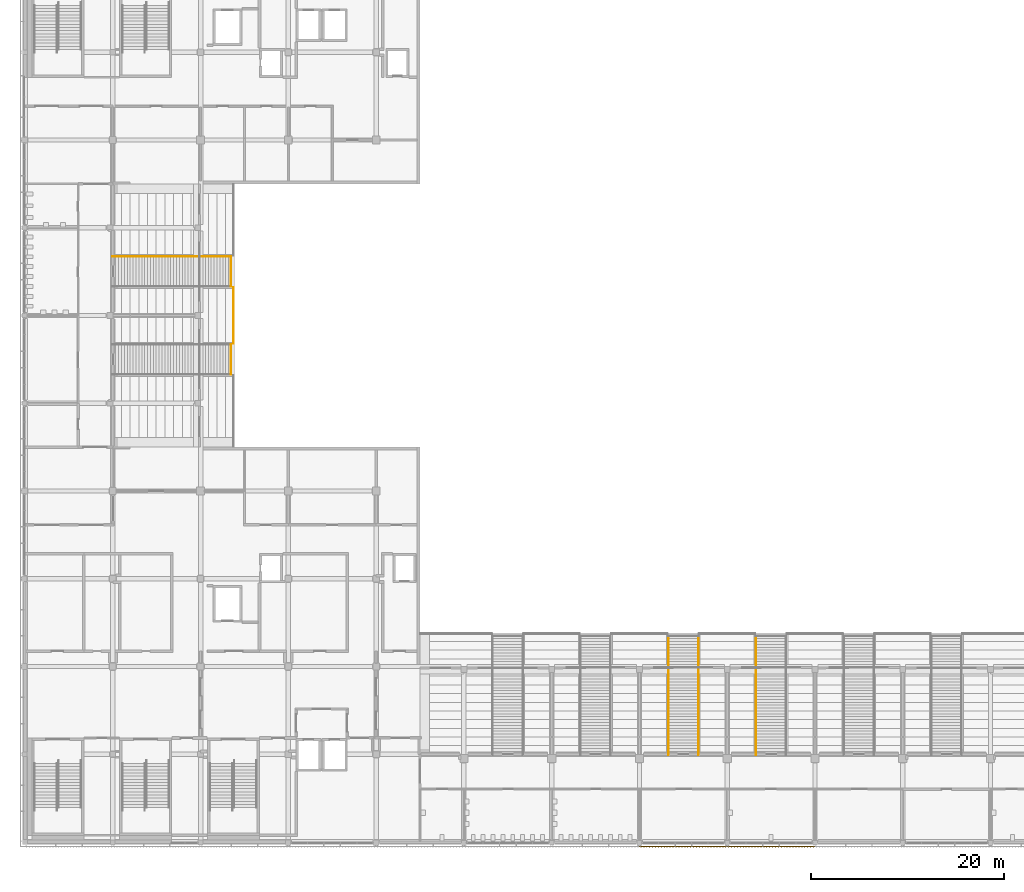
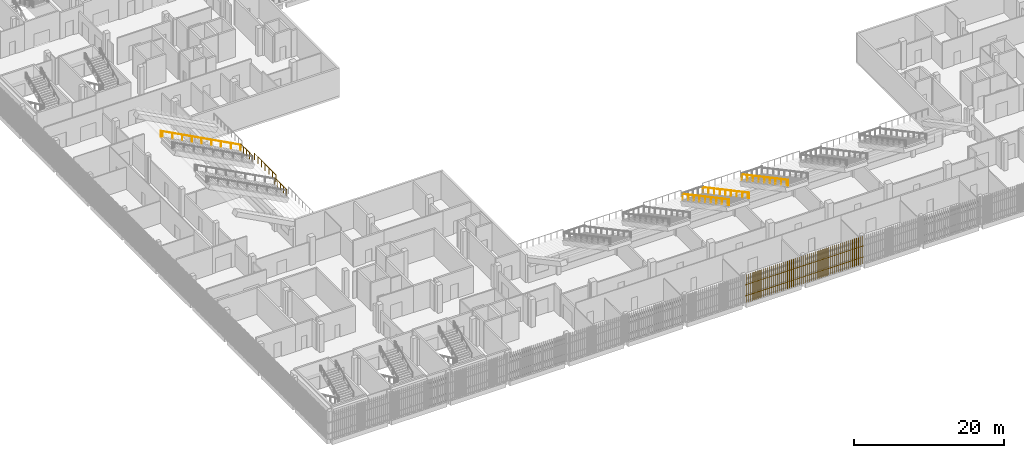
# One storey, part 118 of 139: 7 railings, 2 shading devices.
"""IFC4 building model written with IfcOpenShell, lengths in metres."""

from ifc_helpers import new_model, si_unit, direction, frame, origin, origin_2d, place, context, subcontext, project, spatial, rectangle, circle, extrude, material, type_object, element, save


model = new_model("IFC4")

# Units and contexts
model_context = context("Model", 3, precision=1e-05, world=origin(), true_north=direction((0.0, 1.0)))
body_context = subcontext(model_context, "Body", "Model", "MODEL_VIEW")
ifc_project = project(units=[si_unit("LENGTHUNIT", "METRE"), si_unit("AREAUNIT", "SQUARE_METRE"), si_unit("VOLUMEUNIT", "CUBIC_METRE"), si_unit("PLANEANGLEUNIT", "RADIAN"), si_unit("MASSUNIT", "GRAM", prefix="KILO")], contexts=[model_context])

# Site, building, storey
site_placement = place(None, origin())
site = spatial("IfcSite", under=ifc_project, at=site_placement, CompositionType="ELEMENT")
building_placement = place(site_placement, origin())
building = spatial("IfcBuilding", under=site, at=building_placement, Name="Shirokan Park Arena", CompositionType="ELEMENT")
storey_placement = place(building_placement, frame((0.0, 0.0, 15.469970703125)))
storey = spatial("IfcBuildingStorey", under=building, at=storey_placement, Name="L03", CompositionType="ELEMENT", Elevation=15.469970703125)

# Railings
ifc_material_1 = material(Name="Stainless steel", Category="steel")
railing_type_1 = type_object("IfcRailingType", Name="Aisle foot guard 1100", PredefinedType="GUARDRAIL", material=ifc_material_1)
railing_1_placement = place(storey_placement, frame((21.35009765625, 48.5, 2.5400390625)))
element("IfcRailing", 1, at=railing_1_placement, inside=storey, type_object=railing_type_1, Name="Guard foot of vomitory stair W1 upper", PredefinedType="GUARDRAIL", context=body_context, shape_type="SweptSolid", body=[
    extrude(circle(Radius=0.02490234375, at=origin_2d()), frame((0.0, 0.0, 1.0771484375), z_axis=(0.0, 1.0, 0.0), x_axis=(-1.0, 0.0, 0.0)), (0.0, 0.0, 1.0), 3.10009765625),
    extrude(circle(Radius=0.02490234375, at=origin_2d()), origin(), (0.0, 0.0, 1.0), 1.052001953125),
    extrude(circle(Radius=0.02490234375, at=origin_2d()), frame((0.0, 0.77490234375, 0.0)), (0.0, 0.0, 1.0), 1.052001953125),
    extrude(circle(Radius=0.02490234375, at=origin_2d()), frame((0.0, 1.550048828125, 0.0)), (0.0, 0.0, 1.0), 1.052001953125),
    extrude(circle(Radius=0.02490234375, at=origin_2d()), frame((0.0, 2.3251953125, 0.0)), (0.0, 0.0, 1.0), 1.052001953125),
    extrude(circle(Radius=0.02490234375, at=origin_2d()), frame((0.0, 3.10009765625, 0.0)), (0.0, 0.0, 1.0), 1.052001953125),
])
railing_2_placement = place(storey_placement, frame((21.35009765625, 57.60009765625, 2.5400390625)))
element("IfcRailing", 2, at=railing_2_placement, inside=storey, type_object=railing_type_1, Name="Guard foot of vomitory stair W2 upper", PredefinedType="GUARDRAIL", context=body_context, shape_type="SweptSolid", body=[
    extrude(circle(Radius=0.02490234375, at=origin_2d()), frame((0.0, 0.0, 1.0771484375), z_axis=(0.0, 1.0, 0.0), x_axis=(-1.0, 0.0, 0.0)), (0.0, 0.0, 1.0), 3.099853515625),
    extrude(circle(Radius=0.02490234375, at=origin_2d()), origin(), (0.0, 0.0, 1.0), 1.052001953125),
    extrude(circle(Radius=0.02490234375, at=origin_2d()), frame((0.0, 0.77490234375, 0.0)), (0.0, 0.0, 1.0), 1.052001953125),
    extrude(circle(Radius=0.02490234375, at=origin_2d()), frame((0.0, 1.5498046875, 0.0)), (0.0, 0.0, 1.0), 1.052001953125),
    extrude(circle(Radius=0.02490234375, at=origin_2d()), frame((0.0, 2.324951171875, 0.0)), (0.0, 0.0, 1.0), 1.052001953125),
    extrude(circle(Radius=0.02490234375, at=origin_2d()), frame((0.0, 3.099853515625, 0.0)), (0.0, 0.0, 1.0), 1.052001953125),
])
railing_type_2 = type_object("IfcRailingType", Name="Aisle handrail 900", PredefinedType="HANDRAIL", material=ifc_material_1)
railing_3_placement = place(storey_placement, frame((66.68994140625, 21.35009765625, 2.5400390625)))
element("IfcRailing", 3, at=railing_3_placement, inside=storey, type_object=railing_type_2, Name="Handrail vomitory stair S3 upper", PredefinedType="HANDRAIL", context=body_context, shape_type="SweptSolid", body=[
    extrude(circle(Radius=0.02490234375, at=origin_2d()), frame((0.0, 0.0, 0.90185546875), z_axis=(0.0, -0.882341014787, 0.470610596591), x_axis=(1.0, 0.0, 0.0)), (0.0, 0.0, 1.0), 1.699951171875),
    extrude(circle(Radius=0.02490234375, at=origin_2d()), frame((0.0, -1.5, 1.70166015625), z_axis=(0.0, -0.882341014787, 0.470610596591), x_axis=(1.0, 0.0, 0.0)), (0.0, 0.0, 1.0), 1.699951171875),
    extrude(circle(Radius=0.02490234375, at=origin_2d()), frame((0.0, -3.0, 2.501953125), z_axis=(0.0, -0.88240064429, 0.470498781037), x_axis=(1.0, 0.0, 0.0)), (0.0, 0.0, 1.0), 1.699951171875),
    extrude(circle(Radius=0.02490234375, at=origin_2d()), frame((0.0, -4.5, 3.3017578125), z_axis=(0.0, -0.882341014787, 0.470610596591), x_axis=(1.0, 0.0, 0.0)), (0.0, 0.0, 1.0), 1.699951171875),
    extrude(circle(Radius=0.02490234375, at=origin_2d()), frame((0.0, -6.0, 4.1015625), z_axis=(0.0, -0.882341014787, 0.470610596591), x_axis=(1.0, 0.0, 0.0)), (0.0, 0.0, 1.0), 1.699951171875),
    extrude(circle(Radius=0.02490234375, at=origin_2d()), frame((0.0, -7.5, 4.90185546875), z_axis=(0.0, -0.882341014787, 0.470610596591), x_axis=(1.0, 0.0, 0.0)), (0.0, 0.0, 1.0), 1.699951171875),
    extrude(circle(Radius=0.02490234375, at=origin_2d()), frame((0.0, -9.0, 5.70166015625), z_axis=(0.0, -0.882341014787, 0.470610596591), x_axis=(1.0, 0.0, 0.0)), (0.0, 0.0, 1.0), 1.699951171875),
    extrude(circle(Radius=0.02490234375, at=origin_2d()), frame((0.0, -10.5, 6.501953125), z_axis=(0.0, -0.88240064429, 0.470498781037), x_axis=(1.0, 0.0, 0.0)), (0.0, 0.0, 1.0), 1.699951171875),
    extrude(circle(Radius=0.02490234375, at=origin_2d()), frame((0.0, -12.0, 7.3017578125), z_axis=(0.0, -0.882193928472, 0.470886262878), x_axis=(1.0, 0.0, 0.0)), (0.0, 0.0, 1.0), 0.340087890625),
    extrude(circle(Radius=0.02490234375, at=origin_2d()), origin(), (0.0, 0.0, 1.0), 0.876708984375),
    extrude(circle(Radius=0.02490234375, at=origin_2d()), frame((0.0, -1.5, 0.800048828125)), (0.0, 0.0, 1.0), 0.876708984375),
    extrude(circle(Radius=0.02490234375, at=origin_2d()), frame((0.0, -3.0, 1.60009765625)), (0.0, 0.0, 1.0), 0.876708984375),
    extrude(circle(Radius=0.02490234375, at=origin_2d()), frame((0.0, -4.5, 2.39990234375)), (0.0, 0.0, 1.0), 0.876708984375),
    extrude(circle(Radius=0.02490234375, at=origin_2d()), frame((0.0, -6.0, 3.199951171875)), (0.0, 0.0, 1.0), 0.876708984375),
    extrude(circle(Radius=0.02490234375, at=origin_2d()), frame((0.0, -7.5, 4.0)), (0.0, 0.0, 1.0), 0.876708984375),
    extrude(circle(Radius=0.02490234375, at=origin_2d()), frame((0.0, -9.0, 4.800048828125)), (0.0, 0.0, 1.0), 0.876708984375),
    extrude(circle(Radius=0.02490234375, at=origin_2d()), frame((0.0, -10.5, 5.60009765625)), (0.0, 0.0, 1.0), 0.876708984375),
    extrude(circle(Radius=0.02490234375, at=origin_2d()), frame((0.0, -12.0, 6.39990234375)), (0.0, 0.0, 1.0), 0.876708984375),
    extrude(circle(Radius=0.02490234375, at=origin_2d()), frame((0.0, -12.300048828125, 6.56005859375)), (0.0, 0.0, 1.0), 0.876708984375),
])
railing_4_placement = place(storey_placement, frame((69.81005859375, 21.35009765625, 2.5400390625)))
element("IfcRailing", 4, at=railing_4_placement, inside=storey, type_object=railing_type_2, Name="Handrail vomitory stair S3 upper", PredefinedType="HANDRAIL", context=body_context, shape_type="SweptSolid", body=[
    extrude(circle(Radius=0.02490234375, at=origin_2d()), frame((0.0, 0.0, 0.90185546875), z_axis=(0.0, -0.882341014787, 0.470610596591), x_axis=(1.0, 0.0, 0.0)), (0.0, 0.0, 1.0), 1.699951171875),
    extrude(circle(Radius=0.02490234375, at=origin_2d()), frame((0.0, -1.5, 1.70166015625), z_axis=(0.0, -0.882341014787, 0.470610596591), x_axis=(1.0, 0.0, 0.0)), (0.0, 0.0, 1.0), 1.699951171875),
    extrude(circle(Radius=0.02490234375, at=origin_2d()), frame((0.0, -3.0, 2.501953125), z_axis=(0.0, -0.88240064429, 0.470498781037), x_axis=(1.0, 0.0, 0.0)), (0.0, 0.0, 1.0), 1.699951171875),
    extrude(circle(Radius=0.02490234375, at=origin_2d()), frame((0.0, -4.5, 3.3017578125), z_axis=(0.0, -0.882341014787, 0.470610596591), x_axis=(1.0, 0.0, 0.0)), (0.0, 0.0, 1.0), 1.699951171875),
    extrude(circle(Radius=0.02490234375, at=origin_2d()), frame((0.0, -6.0, 4.1015625), z_axis=(0.0, -0.882341014787, 0.470610596591), x_axis=(1.0, 0.0, 0.0)), (0.0, 0.0, 1.0), 1.699951171875),
    extrude(circle(Radius=0.02490234375, at=origin_2d()), frame((0.0, -7.5, 4.90185546875), z_axis=(0.0, -0.882341014787, 0.470610596591), x_axis=(1.0, 0.0, 0.0)), (0.0, 0.0, 1.0), 1.699951171875),
    extrude(circle(Radius=0.02490234375, at=origin_2d()), frame((0.0, -9.0, 5.70166015625), z_axis=(0.0, -0.882341014787, 0.470610596591), x_axis=(1.0, 0.0, 0.0)), (0.0, 0.0, 1.0), 1.699951171875),
    extrude(circle(Radius=0.02490234375, at=origin_2d()), frame((0.0, -10.5, 6.501953125), z_axis=(0.0, -0.88240064429, 0.470498781037), x_axis=(1.0, 0.0, 0.0)), (0.0, 0.0, 1.0), 1.699951171875),
    extrude(circle(Radius=0.02490234375, at=origin_2d()), frame((0.0, -12.0, 7.3017578125), z_axis=(0.0, -0.882193928472, 0.470886262878), x_axis=(1.0, 0.0, 0.0)), (0.0, 0.0, 1.0), 0.340087890625),
    extrude(circle(Radius=0.02490234375, at=origin_2d()), origin(), (0.0, 0.0, 1.0), 0.876708984375),
    extrude(circle(Radius=0.02490234375, at=origin_2d()), frame((0.0, -1.5, 0.800048828125)), (0.0, 0.0, 1.0), 0.876708984375),
    extrude(circle(Radius=0.02490234375, at=origin_2d()), frame((0.0, -3.0, 1.60009765625)), (0.0, 0.0, 1.0), 0.876708984375),
    extrude(circle(Radius=0.02490234375, at=origin_2d()), frame((0.0, -4.5, 2.39990234375)), (0.0, 0.0, 1.0), 0.876708984375),
    extrude(circle(Radius=0.02490234375, at=origin_2d()), frame((0.0, -6.0, 3.199951171875)), (0.0, 0.0, 1.0), 0.876708984375),
    extrude(circle(Radius=0.02490234375, at=origin_2d()), frame((0.0, -7.5, 4.0)), (0.0, 0.0, 1.0), 0.876708984375),
    extrude(circle(Radius=0.02490234375, at=origin_2d()), frame((0.0, -9.0, 4.800048828125)), (0.0, 0.0, 1.0), 0.876708984375),
    extrude(circle(Radius=0.02490234375, at=origin_2d()), frame((0.0, -10.5, 5.60009765625)), (0.0, 0.0, 1.0), 0.876708984375),
    extrude(circle(Radius=0.02490234375, at=origin_2d()), frame((0.0, -12.0, 6.39990234375)), (0.0, 0.0, 1.0), 0.876708984375),
    extrude(circle(Radius=0.02490234375, at=origin_2d()), frame((0.0, -12.300048828125, 6.56005859375)), (0.0, 0.0, 1.0), 0.876708984375),
])
railing_5_placement = place(storey_placement, frame((75.7900390625, 21.35009765625, 2.5400390625)))
element("IfcRailing", 5, at=railing_5_placement, inside=storey, type_object=railing_type_2, Name="Handrail vomitory stair S4 upper", PredefinedType="HANDRAIL", context=body_context, shape_type="SweptSolid", body=[
    extrude(circle(Radius=0.02490234375, at=origin_2d()), frame((0.0, 0.0, 0.90185546875), z_axis=(0.0, -0.882341014787, 0.470610596591), x_axis=(1.0, 0.0, 0.0)), (0.0, 0.0, 1.0), 1.699951171875),
    extrude(circle(Radius=0.02490234375, at=origin_2d()), frame((0.0, -1.5, 1.70166015625), z_axis=(0.0, -0.882341014787, 0.470610596591), x_axis=(1.0, 0.0, 0.0)), (0.0, 0.0, 1.0), 1.699951171875),
    extrude(circle(Radius=0.02490234375, at=origin_2d()), frame((0.0, -3.0, 2.501953125), z_axis=(0.0, -0.88240064429, 0.470498781037), x_axis=(1.0, 0.0, 0.0)), (0.0, 0.0, 1.0), 1.699951171875),
    extrude(circle(Radius=0.02490234375, at=origin_2d()), frame((0.0, -4.5, 3.3017578125), z_axis=(0.0, -0.882341014787, 0.470610596591), x_axis=(1.0, 0.0, 0.0)), (0.0, 0.0, 1.0), 1.699951171875),
    extrude(circle(Radius=0.02490234375, at=origin_2d()), frame((0.0, -6.0, 4.1015625), z_axis=(0.0, -0.882341014787, 0.470610596591), x_axis=(1.0, 0.0, 0.0)), (0.0, 0.0, 1.0), 1.699951171875),
    extrude(circle(Radius=0.02490234375, at=origin_2d()), frame((0.0, -7.5, 4.90185546875), z_axis=(0.0, -0.882341014787, 0.470610596591), x_axis=(1.0, 0.0, 0.0)), (0.0, 0.0, 1.0), 1.699951171875),
    extrude(circle(Radius=0.02490234375, at=origin_2d()), frame((0.0, -9.0, 5.70166015625), z_axis=(0.0, -0.882341014787, 0.470610596591), x_axis=(1.0, 0.0, 0.0)), (0.0, 0.0, 1.0), 1.699951171875),
    extrude(circle(Radius=0.02490234375, at=origin_2d()), frame((0.0, -10.5, 6.501953125), z_axis=(0.0, -0.88240064429, 0.470498781037), x_axis=(1.0, 0.0, 0.0)), (0.0, 0.0, 1.0), 1.699951171875),
    extrude(circle(Radius=0.02490234375, at=origin_2d()), frame((0.0, -12.0, 7.3017578125), z_axis=(0.0, -0.882193928472, 0.470886262878), x_axis=(1.0, 0.0, 0.0)), (0.0, 0.0, 1.0), 0.340087890625),
    extrude(circle(Radius=0.02490234375, at=origin_2d()), origin(), (0.0, 0.0, 1.0), 0.876708984375),
    extrude(circle(Radius=0.02490234375, at=origin_2d()), frame((0.0, -1.5, 0.800048828125)), (0.0, 0.0, 1.0), 0.876708984375),
    extrude(circle(Radius=0.02490234375, at=origin_2d()), frame((0.0, -3.0, 1.60009765625)), (0.0, 0.0, 1.0), 0.876708984375),
    extrude(circle(Radius=0.02490234375, at=origin_2d()), frame((0.0, -4.5, 2.39990234375)), (0.0, 0.0, 1.0), 0.876708984375),
    extrude(circle(Radius=0.02490234375, at=origin_2d()), frame((0.0, -6.0, 3.199951171875)), (0.0, 0.0, 1.0), 0.876708984375),
    extrude(circle(Radius=0.02490234375, at=origin_2d()), frame((0.0, -7.5, 4.0)), (0.0, 0.0, 1.0), 0.876708984375),
    extrude(circle(Radius=0.02490234375, at=origin_2d()), frame((0.0, -9.0, 4.800048828125)), (0.0, 0.0, 1.0), 0.876708984375),
    extrude(circle(Radius=0.02490234375, at=origin_2d()), frame((0.0, -10.5, 5.60009765625)), (0.0, 0.0, 1.0), 0.876708984375),
    extrude(circle(Radius=0.02490234375, at=origin_2d()), frame((0.0, -12.0, 6.39990234375)), (0.0, 0.0, 1.0), 0.876708984375),
    extrude(circle(Radius=0.02490234375, at=origin_2d()), frame((0.0, -12.300048828125, 6.56005859375)), (0.0, 0.0, 1.0), 0.876708984375),
])
railing_6_placement = place(storey_placement, frame((21.35009765625, 60.7099609375, 2.5400390625)))
element("IfcRailing", 6, at=railing_6_placement, inside=storey, type_object=railing_type_2, Name="Handrail vomitory stair W2 upper", PredefinedType="HANDRAIL", context=body_context, shape_type="SweptSolid", body=[
    extrude(circle(Radius=0.02490234375, at=origin_2d()), frame((0.0, 0.0, 0.90185546875), z_axis=(-0.882341014787, 0.0, 0.470610596591), x_axis=(0.0, -1.0, 0.0)), (0.0, 0.0, 1.0), 1.699951171875),
    extrude(circle(Radius=0.02490234375, at=origin_2d()), frame((-1.5, 0.0, 1.70166015625), z_axis=(-0.882341014787, 0.0, 0.470610596591), x_axis=(0.0, -1.0, 0.0)), (0.0, 0.0, 1.0), 1.699951171875),
    extrude(circle(Radius=0.02490234375, at=origin_2d()), frame((-3.0, 0.0, 2.501953125), z_axis=(-0.88240064429, 0.0, 0.470498781037), x_axis=(0.0, -1.0, 0.0)), (0.0, 0.0, 1.0), 1.699951171875),
    extrude(circle(Radius=0.02490234375, at=origin_2d()), frame((-4.5, 0.0, 3.3017578125), z_axis=(-0.882341014787, 0.0, 0.470610596591), x_axis=(0.0, -1.0, 0.0)), (0.0, 0.0, 1.0), 1.699951171875),
    extrude(circle(Radius=0.02490234375, at=origin_2d()), frame((-6.0, 0.0, 4.1015625), z_axis=(-0.882341014787, 0.0, 0.470610596591), x_axis=(0.0, -1.0, 0.0)), (0.0, 0.0, 1.0), 1.699951171875),
    extrude(circle(Radius=0.02490234375, at=origin_2d()), frame((-7.5, 0.0, 4.90185546875), z_axis=(-0.882341014787, 0.0, 0.470610596591), x_axis=(0.0, -1.0, 0.0)), (0.0, 0.0, 1.0), 1.699951171875),
    extrude(circle(Radius=0.02490234375, at=origin_2d()), frame((-9.0, 0.0, 5.70166015625), z_axis=(-0.882341014787, 0.0, 0.470610596591), x_axis=(0.0, -1.0, 0.0)), (0.0, 0.0, 1.0), 1.699951171875),
    extrude(circle(Radius=0.02490234375, at=origin_2d()), frame((-10.5, 0.0, 6.501953125), z_axis=(-0.88240064429, 0.0, 0.470498781037), x_axis=(0.0, -1.0, 0.0)), (0.0, 0.0, 1.0), 1.699951171875),
    extrude(circle(Radius=0.02490234375, at=origin_2d()), frame((-12.0, 0.0, 7.3017578125), z_axis=(-0.882193928472, 0.0, 0.470886262878), x_axis=(0.0, -1.0, 0.0)), (0.0, 0.0, 1.0), 0.340087890625),
    extrude(circle(Radius=0.02490234375, at=origin_2d()), origin(), (0.0, 0.0, 1.0), 0.876708984375),
    extrude(circle(Radius=0.02490234375, at=origin_2d()), frame((-1.5, 0.0, 0.800048828125)), (0.0, 0.0, 1.0), 0.876708984375),
    extrude(circle(Radius=0.02490234375, at=origin_2d()), frame((-3.0, 0.0, 1.60009765625)), (0.0, 0.0, 1.0), 0.876708984375),
    extrude(circle(Radius=0.02490234375, at=origin_2d()), frame((-4.5, 0.0, 2.39990234375)), (0.0, 0.0, 1.0), 0.876708984375),
    extrude(circle(Radius=0.02490234375, at=origin_2d()), frame((-6.0, 0.0, 3.199951171875)), (0.0, 0.0, 1.0), 0.876708984375),
    extrude(circle(Radius=0.02490234375, at=origin_2d()), frame((-7.5, 0.0, 4.0)), (0.0, 0.0, 1.0), 0.876708984375),
    extrude(circle(Radius=0.02490234375, at=origin_2d()), frame((-9.0, 0.0, 4.800048828125)), (0.0, 0.0, 1.0), 0.876708984375),
    extrude(circle(Radius=0.02490234375, at=origin_2d()), frame((-10.5, 0.0, 5.60009765625)), (0.0, 0.0, 1.0), 0.876708984375),
    extrude(circle(Radius=0.02490234375, at=origin_2d()), frame((-12.0, 0.0, 6.39990234375)), (0.0, 0.0, 1.0), 0.876708984375),
    extrude(circle(Radius=0.02490234375, at=origin_2d()), frame((-12.300048828125, 0.0, 6.56005859375)), (0.0, 0.0, 1.0), 0.876708984375),
])
railing_type_3 = type_object("IfcRailingType", Name="Crowd barrier 1100", PredefinedType="GUARDRAIL", material=ifc_material_1)
railing_7_placement = place(storey_placement, frame((21.60009765625, 51.699951171875, 2.860107421875)))
element("IfcRailing", 7, at=railing_7_placement, inside=storey, type_object=railing_type_3, Name="Crowd barrier W2 upper tier", PredefinedType="GUARDRAIL", context=body_context, shape_type="SweptSolid", body=[
    extrude(circle(Radius=0.030029296875, at=origin_2d()), frame((0.0, 0.0, 1.072021484375), z_axis=(0.0, 1.0, 0.0), x_axis=(-1.0, 0.0, 0.0)), (0.0, 0.0, 1.0), 5.800048828125),
    extrude(circle(Radius=0.030029296875, at=origin_2d()), origin(), (0.0, 0.0, 1.0), 1.0419921875),
    extrude(circle(Radius=0.030029296875, at=origin_2d()), frame((0.0, 0.966796875, 0.0)), (0.0, 0.0, 1.0), 1.0419921875),
    extrude(circle(Radius=0.030029296875, at=origin_2d()), frame((0.0, 1.933349609375, 0.0)), (0.0, 0.0, 1.0), 1.0419921875),
    extrude(circle(Radius=0.030029296875, at=origin_2d()), frame((0.0, 2.89990234375, 0.0)), (0.0, 0.0, 1.0), 1.0419921875),
    extrude(circle(Radius=0.030029296875, at=origin_2d()), frame((0.0, 3.86669921875, 0.0)), (0.0, 0.0, 1.0), 1.0419921875),
    extrude(circle(Radius=0.030029296875, at=origin_2d()), frame((0.0, 4.83349609375, 0.0)), (0.0, 0.0, 1.0), 1.0419921875),
    extrude(circle(Radius=0.030029296875, at=origin_2d()), frame((0.0, 5.800048828125, 0.0)), (0.0, 0.0, 1.0), 1.0419921875),
])

# Shading devices
ifc_material_2 = material(Name="Timber louvre veil (cedar)", Category="wood")
shading_device_type = type_object("IfcShadingDeviceType", Name="Timber louvre veil panel", PredefinedType="JALOUSIE", material=ifc_material_2)
shading_device_1_placement = place(storey_placement, origin())
element("IfcShadingDevice", 8, at=shading_device_1_placement, inside=storey, type_object=shading_device_type, Name="Timber louvre veil south bay 8 L03", PredefinedType="JALOUSIE", context=body_context, shape_type="SweptSolid", body=[
    extrude(rectangle(XDim=0.050048828125, YDim=0.080078125, at=origin_2d()), frame((63.8515625, -0.485107421875, 0.0), z_axis=(0.0, 0.0, 1.0), x_axis=(1.0, 0.0, 0.0)), (0.0, 0.0, 1.0), 4.550048828125),
    extrude(rectangle(XDim=0.050048828125, YDim=0.080078125, at=origin_2d()), frame((64.155029296875, -0.485107421875, 0.0), z_axis=(0.0, 0.0, 1.0), x_axis=(1.0, 0.0, 0.0)), (0.0, 0.0, 1.0), 4.550048828125),
    extrude(rectangle(XDim=0.050048828125, YDim=0.080078125, at=origin_2d()), frame((64.458251953125, -0.485107421875, 0.0), z_axis=(0.0, 0.0, 1.0), x_axis=(1.0, 0.0, 0.0)), (0.0, 0.0, 1.0), 4.550048828125),
    extrude(rectangle(XDim=0.050048828125, YDim=0.080078125, at=origin_2d()), frame((64.76171875, -0.485107421875, 0.0), z_axis=(0.0, 0.0, 1.0), x_axis=(1.0, 0.0, 0.0)), (0.0, 0.0, 1.0), 4.550048828125),
    extrude(rectangle(XDim=0.050048828125, YDim=0.080078125, at=origin_2d()), frame((65.06494140625, -0.485107421875, 0.0), z_axis=(0.0, 0.0, 1.0), x_axis=(1.0, 0.0, 0.0)), (0.0, 0.0, 1.0), 4.550048828125),
    extrude(rectangle(XDim=0.050048828125, YDim=0.080078125, at=origin_2d()), frame((65.368408203125, -0.485107421875, 0.0), z_axis=(0.0, 0.0, 1.0), x_axis=(1.0, 0.0, 0.0)), (0.0, 0.0, 1.0), 4.550048828125),
    extrude(rectangle(XDim=0.050048828125, YDim=0.080078125, at=origin_2d()), frame((65.671630859375, -0.485107421875, 0.0), z_axis=(0.0, 0.0, 1.0), x_axis=(1.0, 0.0, 0.0)), (0.0, 0.0, 1.0), 4.550048828125),
    extrude(rectangle(XDim=0.050048828125, YDim=0.080078125, at=origin_2d()), frame((65.97509765625, -0.485107421875, 0.0), z_axis=(0.0, 0.0, 1.0), x_axis=(1.0, 0.0, 0.0)), (0.0, 0.0, 1.0), 4.550048828125),
    extrude(rectangle(XDim=0.050048828125, YDim=0.080078125, at=origin_2d()), frame((66.2783203125, -0.485107421875, 0.0), z_axis=(0.0, 0.0, 1.0), x_axis=(1.0, 0.0, 0.0)), (0.0, 0.0, 1.0), 4.550048828125),
    extrude(rectangle(XDim=0.050048828125, YDim=0.080078125, at=origin_2d()), frame((66.581787109375, -0.485107421875, 0.0), z_axis=(0.0, 0.0, 1.0), x_axis=(1.0, 0.0, 0.0)), (0.0, 0.0, 1.0), 4.550048828125),
    extrude(rectangle(XDim=0.050048828125, YDim=0.080078125, at=origin_2d()), frame((66.885009765625, -0.485107421875, 0.0), z_axis=(0.0, 0.0, 1.0), x_axis=(1.0, 0.0, 0.0)), (0.0, 0.0, 1.0), 4.550048828125),
    extrude(rectangle(XDim=0.050048828125, YDim=0.080078125, at=origin_2d()), frame((67.188232421875, -0.485107421875, 0.0), z_axis=(0.0, 0.0, 1.0), x_axis=(1.0, 0.0, 0.0)), (0.0, 0.0, 1.0), 4.550048828125),
    extrude(rectangle(XDim=0.050048828125, YDim=0.080078125, at=origin_2d()), frame((67.49169921875, -0.485107421875, 0.0), z_axis=(0.0, 0.0, 1.0), x_axis=(1.0, 0.0, 0.0)), (0.0, 0.0, 1.0), 4.550048828125),
    extrude(rectangle(XDim=0.050048828125, YDim=0.080078125, at=origin_2d()), frame((67.794921875, -0.485107421875, 0.0), z_axis=(0.0, 0.0, 1.0), x_axis=(1.0, 0.0, 0.0)), (0.0, 0.0, 1.0), 4.550048828125),
    extrude(rectangle(XDim=0.050048828125, YDim=0.080078125, at=origin_2d()), frame((68.098388671875, -0.485107421875, 0.0), z_axis=(0.0, 0.0, 1.0), x_axis=(1.0, 0.0, 0.0)), (0.0, 0.0, 1.0), 4.550048828125),
    extrude(rectangle(XDim=0.050048828125, YDim=0.080078125, at=origin_2d()), frame((68.401611328125, -0.485107421875, 0.0), z_axis=(0.0, 0.0, 1.0), x_axis=(1.0, 0.0, 0.0)), (0.0, 0.0, 1.0), 4.550048828125),
    extrude(rectangle(XDim=0.050048828125, YDim=0.080078125, at=origin_2d()), frame((68.705078125, -0.485107421875, 0.0), z_axis=(0.0, 0.0, 1.0), x_axis=(1.0, 0.0, 0.0)), (0.0, 0.0, 1.0), 4.550048828125),
    extrude(rectangle(XDim=0.050048828125, YDim=0.080078125, at=origin_2d()), frame((69.00830078125, -0.485107421875, 0.0), z_axis=(0.0, 0.0, 1.0), x_axis=(1.0, 0.0, 0.0)), (0.0, 0.0, 1.0), 4.550048828125),
    extrude(rectangle(XDim=0.050048828125, YDim=0.080078125, at=origin_2d()), frame((69.311767578125, -0.485107421875, 0.0), z_axis=(0.0, 0.0, 1.0), x_axis=(1.0, 0.0, 0.0)), (0.0, 0.0, 1.0), 4.550048828125),
    extrude(rectangle(XDim=0.050048828125, YDim=0.080078125, at=origin_2d()), frame((69.614990234375, -0.485107421875, 0.0), z_axis=(0.0, 0.0, 1.0), x_axis=(1.0, 0.0, 0.0)), (0.0, 0.0, 1.0), 4.550048828125),
    extrude(rectangle(XDim=0.050048828125, YDim=0.080078125, at=origin_2d()), frame((69.918212890625, -0.485107421875, 0.0), z_axis=(0.0, 0.0, 1.0), x_axis=(1.0, 0.0, 0.0)), (0.0, 0.0, 1.0), 4.550048828125),
    extrude(rectangle(XDim=0.050048828125, YDim=0.080078125, at=origin_2d()), frame((70.2216796875, -0.485107421875, 0.0), z_axis=(0.0, 0.0, 1.0), x_axis=(1.0, 0.0, 0.0)), (0.0, 0.0, 1.0), 4.550048828125),
    extrude(rectangle(XDim=0.050048828125, YDim=0.080078125, at=origin_2d()), frame((70.52490234375, -0.485107421875, 0.0), z_axis=(0.0, 0.0, 1.0), x_axis=(1.0, 0.0, 0.0)), (0.0, 0.0, 1.0), 4.550048828125),
    extrude(rectangle(XDim=0.050048828125, YDim=0.080078125, at=origin_2d()), frame((70.828369140625, -0.485107421875, 0.0), z_axis=(0.0, 0.0, 1.0), x_axis=(1.0, 0.0, 0.0)), (0.0, 0.0, 1.0), 4.550048828125),
    extrude(rectangle(XDim=0.050048828125, YDim=0.080078125, at=origin_2d()), frame((71.131591796875, -0.485107421875, 0.0), z_axis=(0.0, 0.0, 1.0), x_axis=(1.0, 0.0, 0.0)), (0.0, 0.0, 1.0), 4.550048828125),
    extrude(rectangle(XDim=0.050048828125, YDim=0.080078125, at=origin_2d()), frame((71.43505859375, -0.485107421875, 0.0), z_axis=(0.0, 0.0, 1.0), x_axis=(1.0, 0.0, 0.0)), (0.0, 0.0, 1.0), 4.550048828125),
    extrude(rectangle(XDim=0.050048828125, YDim=0.080078125, at=origin_2d()), frame((71.73828125, -0.485107421875, 0.0), z_axis=(0.0, 0.0, 1.0), x_axis=(1.0, 0.0, 0.0)), (0.0, 0.0, 1.0), 4.550048828125),
    extrude(rectangle(XDim=0.050048828125, YDim=0.080078125, at=origin_2d()), frame((72.041748046875, -0.485107421875, 0.0), z_axis=(0.0, 0.0, 1.0), x_axis=(1.0, 0.0, 0.0)), (0.0, 0.0, 1.0), 4.550048828125),
    extrude(rectangle(XDim=0.050048828125, YDim=0.080078125, at=origin_2d()), frame((72.344970703125, -0.485107421875, 0.0), z_axis=(0.0, 0.0, 1.0), x_axis=(1.0, 0.0, 0.0)), (0.0, 0.0, 1.0), 4.550048828125),
    extrude(rectangle(XDim=0.050048828125, YDim=0.080078125, at=origin_2d()), frame((72.6484375, -0.485107421875, 0.0), z_axis=(0.0, 0.0, 1.0), x_axis=(1.0, 0.0, 0.0)), (0.0, 0.0, 1.0), 4.550048828125),
    extrude(rectangle(XDim=9.10009765625, YDim=0.050048828125, at=origin_2d()), frame((68.25, -0.469970703125, 1.06005859375), z_axis=(0.0, 0.0, 1.0), x_axis=(1.0, 0.0, 0.0)), (0.0, 0.0, 1.0), 0.080078125),
    extrude(rectangle(XDim=9.10009765625, YDim=0.050048828125, at=origin_2d()), frame((68.25, -0.469970703125, 2.860107421875), z_axis=(0.0, 0.0, 1.0), x_axis=(1.0, 0.0, 0.0)), (0.0, 0.0, 1.0), 0.080078125),
])
shading_device_2_placement = place(storey_placement, origin())
element("IfcShadingDevice", 9, at=shading_device_2_placement, inside=storey, type_object=shading_device_type, Name="Timber louvre veil south bay 9 L03", PredefinedType="JALOUSIE", context=body_context, shape_type="SweptSolid", body=[
    extrude(rectangle(XDim=0.050048828125, YDim=0.080078125, at=origin_2d()), frame((72.95166015625, -0.485107421875, 0.0), z_axis=(0.0, 0.0, 1.0), x_axis=(1.0, 0.0, 0.0)), (0.0, 0.0, 1.0), 4.550048828125),
    extrude(rectangle(XDim=0.050048828125, YDim=0.080078125, at=origin_2d()), frame((73.2548828125, -0.485107421875, 0.0), z_axis=(0.0, 0.0, 1.0), x_axis=(1.0, 0.0, 0.0)), (0.0, 0.0, 1.0), 4.550048828125),
    extrude(rectangle(XDim=0.050048828125, YDim=0.080078125, at=origin_2d()), frame((73.558349609375, -0.485107421875, 0.0), z_axis=(0.0, 0.0, 1.0), x_axis=(1.0, 0.0, 0.0)), (0.0, 0.0, 1.0), 4.550048828125),
    extrude(rectangle(XDim=0.050048828125, YDim=0.080078125, at=origin_2d()), frame((73.861572265625, -0.485107421875, 0.0), z_axis=(0.0, 0.0, 1.0), x_axis=(1.0, 0.0, 0.0)), (0.0, 0.0, 1.0), 4.550048828125),
    extrude(rectangle(XDim=0.050048828125, YDim=0.080078125, at=origin_2d()), frame((74.1650390625, -0.485107421875, 0.0), z_axis=(0.0, 0.0, 1.0), x_axis=(1.0, 0.0, 0.0)), (0.0, 0.0, 1.0), 4.550048828125),
    extrude(rectangle(XDim=0.050048828125, YDim=0.080078125, at=origin_2d()), frame((74.46826171875, -0.485107421875, 0.0), z_axis=(0.0, 0.0, 1.0), x_axis=(1.0, 0.0, 0.0)), (0.0, 0.0, 1.0), 4.550048828125),
    extrude(rectangle(XDim=0.050048828125, YDim=0.080078125, at=origin_2d()), frame((74.771728515625, -0.485107421875, 0.0), z_axis=(0.0, 0.0, 1.0), x_axis=(1.0, 0.0, 0.0)), (0.0, 0.0, 1.0), 4.550048828125),
    extrude(rectangle(XDim=0.050048828125, YDim=0.080078125, at=origin_2d()), frame((75.074951171875, -0.485107421875, 0.0), z_axis=(0.0, 0.0, 1.0), x_axis=(1.0, 0.0, 0.0)), (0.0, 0.0, 1.0), 4.550048828125),
    extrude(rectangle(XDim=0.050048828125, YDim=0.080078125, at=origin_2d()), frame((75.37841796875, -0.485107421875, 0.0), z_axis=(0.0, 0.0, 1.0), x_axis=(1.0, 0.0, 0.0)), (0.0, 0.0, 1.0), 4.550048828125),
    extrude(rectangle(XDim=0.050048828125, YDim=0.080078125, at=origin_2d()), frame((75.681640625, -0.485107421875, 0.0), z_axis=(0.0, 0.0, 1.0), x_axis=(1.0, 0.0, 0.0)), (0.0, 0.0, 1.0), 4.550048828125),
    extrude(rectangle(XDim=0.050048828125, YDim=0.080078125, at=origin_2d()), frame((75.985107421875, -0.485107421875, 0.0), z_axis=(0.0, 0.0, 1.0), x_axis=(1.0, 0.0, 0.0)), (0.0, 0.0, 1.0), 4.550048828125),
    extrude(rectangle(XDim=0.050048828125, YDim=0.080078125, at=origin_2d()), frame((76.288330078125, -0.485107421875, 0.0), z_axis=(0.0, 0.0, 1.0), x_axis=(1.0, 0.0, 0.0)), (0.0, 0.0, 1.0), 4.550048828125),
    extrude(rectangle(XDim=0.050048828125, YDim=0.080078125, at=origin_2d()), frame((76.591552734375, -0.485107421875, 0.0), z_axis=(0.0, 0.0, 1.0), x_axis=(1.0, 0.0, 0.0)), (0.0, 0.0, 1.0), 4.550048828125),
    extrude(rectangle(XDim=0.050048828125, YDim=0.080078125, at=origin_2d()), frame((76.89501953125, -0.485107421875, 0.0), z_axis=(0.0, 0.0, 1.0), x_axis=(1.0, 0.0, 0.0)), (0.0, 0.0, 1.0), 4.550048828125),
    extrude(rectangle(XDim=0.050048828125, YDim=0.080078125, at=origin_2d()), frame((77.1982421875, -0.485107421875, 0.0), z_axis=(0.0, 0.0, 1.0), x_axis=(1.0, 0.0, 0.0)), (0.0, 0.0, 1.0), 4.550048828125),
    extrude(rectangle(XDim=0.050048828125, YDim=0.080078125, at=origin_2d()), frame((77.501708984375, -0.485107421875, 0.0), z_axis=(0.0, 0.0, 1.0), x_axis=(1.0, 0.0, 0.0)), (0.0, 0.0, 1.0), 4.550048828125),
    extrude(rectangle(XDim=0.050048828125, YDim=0.080078125, at=origin_2d()), frame((77.804931640625, -0.485107421875, 0.0), z_axis=(0.0, 0.0, 1.0), x_axis=(1.0, 0.0, 0.0)), (0.0, 0.0, 1.0), 4.550048828125),
    extrude(rectangle(XDim=0.050048828125, YDim=0.080078125, at=origin_2d()), frame((78.1083984375, -0.485107421875, 0.0), z_axis=(0.0, 0.0, 1.0), x_axis=(1.0, 0.0, 0.0)), (0.0, 0.0, 1.0), 4.550048828125),
    extrude(rectangle(XDim=0.050048828125, YDim=0.080078125, at=origin_2d()), frame((78.41162109375, -0.485107421875, 0.0), z_axis=(0.0, 0.0, 1.0), x_axis=(1.0, 0.0, 0.0)), (0.0, 0.0, 1.0), 4.550048828125),
    extrude(rectangle(XDim=0.050048828125, YDim=0.080078125, at=origin_2d()), frame((78.715087890625, -0.485107421875, 0.0), z_axis=(0.0, 0.0, 1.0), x_axis=(1.0, 0.0, 0.0)), (0.0, 0.0, 1.0), 4.550048828125),
    extrude(rectangle(XDim=0.050048828125, YDim=0.080078125, at=origin_2d()), frame((79.018310546875, -0.485107421875, 0.0), z_axis=(0.0, 0.0, 1.0), x_axis=(1.0, 0.0, 0.0)), (0.0, 0.0, 1.0), 4.550048828125),
    extrude(rectangle(XDim=0.050048828125, YDim=0.080078125, at=origin_2d()), frame((79.32177734375, -0.485107421875, 0.0), z_axis=(0.0, 0.0, 1.0), x_axis=(1.0, 0.0, 0.0)), (0.0, 0.0, 1.0), 4.550048828125),
    extrude(rectangle(XDim=0.050048828125, YDim=0.080078125, at=origin_2d()), frame((79.625, -0.485107421875, 0.0), z_axis=(0.0, 0.0, 1.0), x_axis=(1.0, 0.0, 0.0)), (0.0, 0.0, 1.0), 4.550048828125),
    extrude(rectangle(XDim=0.050048828125, YDim=0.080078125, at=origin_2d()), frame((79.92822265625, -0.485107421875, 0.0), z_axis=(0.0, 0.0, 1.0), x_axis=(1.0, 0.0, 0.0)), (0.0, 0.0, 1.0), 4.550048828125),
    extrude(rectangle(XDim=0.050048828125, YDim=0.080078125, at=origin_2d()), frame((80.231689453125, -0.485107421875, 0.0), z_axis=(0.0, 0.0, 1.0), x_axis=(1.0, 0.0, 0.0)), (0.0, 0.0, 1.0), 4.550048828125),
    extrude(rectangle(XDim=0.050048828125, YDim=0.080078125, at=origin_2d()), frame((80.534912109375, -0.485107421875, 0.0), z_axis=(0.0, 0.0, 1.0), x_axis=(1.0, 0.0, 0.0)), (0.0, 0.0, 1.0), 4.550048828125),
    extrude(rectangle(XDim=0.050048828125, YDim=0.080078125, at=origin_2d()), frame((80.83837890625, -0.485107421875, 0.0), z_axis=(0.0, 0.0, 1.0), x_axis=(1.0, 0.0, 0.0)), (0.0, 0.0, 1.0), 4.550048828125),
    extrude(rectangle(XDim=0.050048828125, YDim=0.080078125, at=origin_2d()), frame((81.1416015625, -0.485107421875, 0.0), z_axis=(0.0, 0.0, 1.0), x_axis=(1.0, 0.0, 0.0)), (0.0, 0.0, 1.0), 4.550048828125),
    extrude(rectangle(XDim=0.050048828125, YDim=0.080078125, at=origin_2d()), frame((81.445068359375, -0.485107421875, 0.0), z_axis=(0.0, 0.0, 1.0), x_axis=(1.0, 0.0, 0.0)), (0.0, 0.0, 1.0), 4.550048828125),
    extrude(rectangle(XDim=0.050048828125, YDim=0.080078125, at=origin_2d()), frame((81.748291015625, -0.485107421875, 0.0), z_axis=(0.0, 0.0, 1.0), x_axis=(1.0, 0.0, 0.0)), (0.0, 0.0, 1.0), 4.550048828125),
    extrude(rectangle(XDim=9.10009765625, YDim=0.050048828125, at=origin_2d()), frame((77.35009765625, -0.469970703125, 1.06005859375), z_axis=(0.0, 0.0, 1.0), x_axis=(1.0, 0.0, 0.0)), (0.0, 0.0, 1.0), 0.080078125),
    extrude(rectangle(XDim=9.10009765625, YDim=0.050048828125, at=origin_2d()), frame((77.35009765625, -0.469970703125, 2.860107421875), z_axis=(0.0, 0.0, 1.0), x_axis=(1.0, 0.0, 0.0)), (0.0, 0.0, 1.0), 0.080078125),
])

save(model, "model.ifc")
